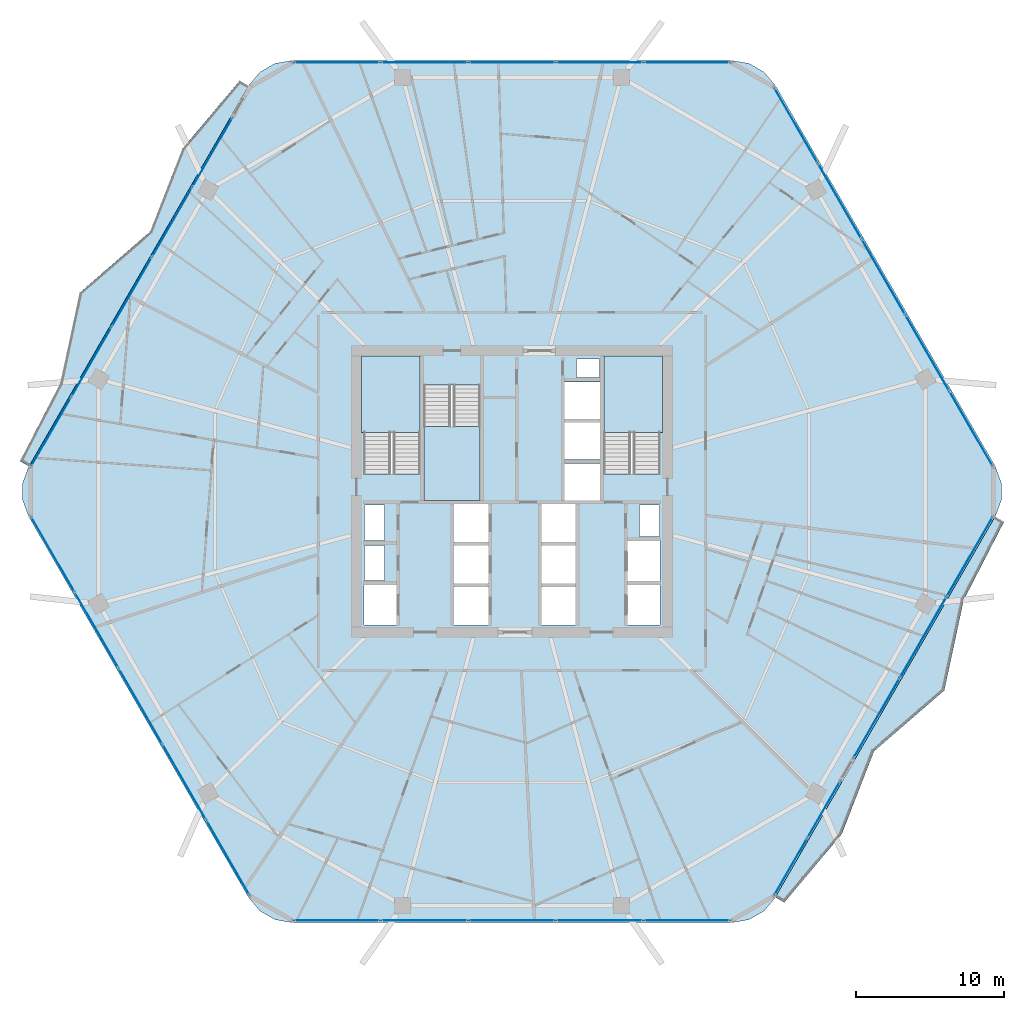
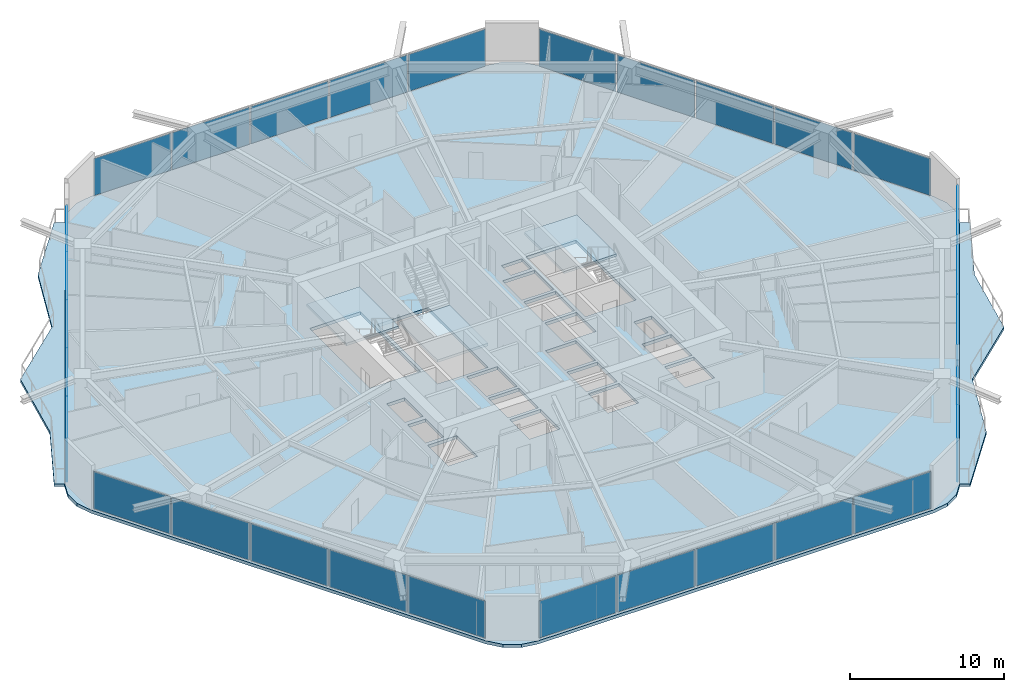
# One storey, part 22 of 32: 30 plates, 6 slabs, 10 elements without a shape of their own.
"""IFC4 building model written with IfcOpenShell, lengths in metres."""

from ifc_helpers import new_model, si_unit, direction, frame, origin, origin_2d, place, context, subcontext, project, spatial, polyline, rectangle, outline, extrude, material, layer, layer_set, type_object, element, aggregate, save


model = new_model("IFC4")

# Units and contexts
model_context = context("Model", 3, precision=1e-05, world=origin(), true_north=direction((0.0, 1.0)))
body_context = subcontext(model_context, "Body", "Model", "MODEL_VIEW")
ifc_project = project(units=[si_unit("LENGTHUNIT", "METRE"), si_unit("AREAUNIT", "SQUARE_METRE"), si_unit("VOLUMEUNIT", "CUBIC_METRE"), si_unit("PLANEANGLEUNIT", "RADIAN"), si_unit("MASSUNIT", "GRAM", prefix="KILO")], contexts=[model_context])

# Site, building, storey
site_placement = place(None, origin())
site = spatial("IfcSite", under=ifc_project, at=site_placement, CompositionType="ELEMENT")
building_placement = place(site_placement, origin())
building = spatial("IfcBuilding", under=site, at=building_placement, Name="Zuhravey Tower", CompositionType="ELEMENT")
storey_placement = place(building_placement, frame((0.0, 0.0, 119.0)))
storey = spatial("IfcBuildingStorey", under=building, at=storey_placement, Name="L29", CompositionType="ELEMENT", Elevation=119.0)

# Slabs
ifc_material_1 = material(Name="Concrete C50/60", Category="concrete")
ifc_layer_1 = layer(ifc_material_1, 0.25)
ifc_layer_set_1 = layer_set([ifc_layer_1], Name="Concrete C50/60")
slab_type_1 = type_object("IfcSlabType", Name="Residential Acoustic Slab 250", PredefinedType="FLOOR", material=ifc_layer_set_1)
slab_1_placement = place(storey_placement, frame((0.0, 0.0, -0.25)))
element("IfcSlab", 1, at=slab_1_placement, inside=storey, type_object=slab_type_1, Name="L29 Floor Slab FS25", PredefinedType="FLOOR", context=body_context, shape_type="SweptSolid", body=[
    extrude(outline(polyline([(68.618408203125, 30.300048828125), (69.0224609375, 31.40966796875), (69.0224609375, 32.59033203125), (68.618408203125, 33.699951171875), (53.781494140625, 59.3984375), (53.0224609375, 60.302978515625), (52.0, 60.893310546875), (50.8369140625, 61.098388671875), (21.1630859375, 61.098388671875), (20.0, 60.893310546875), (18.9775390625, 60.302978515625), (18.218505859375, 59.3984375), (3.381591796875, 33.699951171875), (2.9775390625, 32.59033203125), (2.9775390625, 31.40966796875), (3.381591796875, 30.300048828125), (18.218505859375, 4.6015625), (18.9775390625, 3.697021484375), (20.0, 3.106689453125), (21.1630859375, 2.901611328125), (50.8369140625, 2.901611328125), (52.0, 3.106689453125), (53.0224609375, 3.697021484375), (53.781494140625, 4.6015625), (68.618408203125, 30.300048828125)]), holes=[polyline([(29.800048828125, 33.20068359375), (29.800048828125, 41.0), (26.0, 41.0), (26.0, 33.20068359375), (29.800048828125, 33.20068359375)]), polyline([(46.0, 33.20068359375), (46.0, 41.0), (42.199951171875, 41.0), (42.199951171875, 33.20068359375), (46.0, 33.20068359375)]), polyline([(30.050048828125, 39.199462890625), (30.050048828125, 31.39990234375), (33.85009765625, 31.39990234375), (33.85009765625, 39.199462890625), (30.050048828125, 39.199462890625)]), polyline([(32.10009765625, 23.0), (34.39990234375, 23.0), (34.39990234375, 25.550048828125), (32.10009765625, 25.550048828125), (32.10009765625, 23.0)]), polyline([(32.10009765625, 25.800048828125), (34.39990234375, 25.800048828125), (34.39990234375, 28.35009765625), (32.10009765625, 28.35009765625), (32.10009765625, 25.800048828125)]), polyline([(32.10009765625, 28.60009765625), (34.39990234375, 28.60009765625), (34.39990234375, 31.14990234375), (32.10009765625, 31.14990234375), (32.10009765625, 28.60009765625)]), polyline([(38.0, 23.0), (40.300048828125, 23.0), (40.300048828125, 25.550048828125), (38.0, 25.550048828125), (38.0, 23.0)]), polyline([(38.0, 25.800048828125), (40.300048828125, 25.800048828125), (40.300048828125, 28.35009765625), (38.0, 28.35009765625), (38.0, 25.800048828125)]), polyline([(38.0, 28.60009765625), (40.300048828125, 28.60009765625), (40.300048828125, 31.14990234375), (38.0, 31.14990234375), (38.0, 28.60009765625)]), polyline([(39.550048828125, 31.39990234375), (41.949951171875, 31.39990234375), (41.949951171875, 33.89990234375), (39.550048828125, 33.89990234375), (39.550048828125, 31.39990234375)]), polyline([(39.550048828125, 34.14990234375), (41.949951171875, 34.14990234375), (41.949951171875, 36.64990234375), (39.550048828125, 36.64990234375), (39.550048828125, 34.14990234375)]), polyline([(39.550048828125, 36.89990234375), (41.949951171875, 36.89990234375), (41.949951171875, 39.39990234375), (39.550048828125, 39.39990234375), (39.550048828125, 36.89990234375)]), polyline([(26.0, 23.0), (28.199951171875, 23.0), (28.199951171875, 25.699951171875), (26.0, 25.699951171875), (26.0, 23.0)]), polyline([(43.800048828125, 23.0), (46.0, 23.0), (46.0, 25.699951171875), (43.800048828125, 25.699951171875), (43.800048828125, 23.0)]), polyline([(43.800048828125, 25.949951171875), (46.0, 25.949951171875), (46.0, 28.64990234375), (43.800048828125, 28.64990234375), (43.800048828125, 25.949951171875)]), polyline([(26.050048828125, 26.0), (27.39990234375, 26.0), (27.39990234375, 28.35009765625), (26.050048828125, 28.35009765625), (26.050048828125, 26.0)]), polyline([(26.050048828125, 28.699951171875), (27.39990234375, 28.699951171875), (27.39990234375, 31.10009765625), (26.050048828125, 31.10009765625), (26.050048828125, 28.699951171875)]), polyline([(44.60009765625, 28.949951171875), (45.949951171875, 28.949951171875), (45.949951171875, 31.10009765625), (44.60009765625, 31.10009765625), (44.60009765625, 28.949951171875)]), polyline([(40.35009765625, 39.699951171875), (41.89990234375, 39.699951171875), (41.89990234375, 40.949951171875), (40.35009765625, 40.949951171875), (40.35009765625, 39.699951171875)])]), origin(), (0.0, 0.0, 1.0), 0.25),
])
ifc_material_2 = material(Name="Concrete C40/50", Category="concrete")
ifc_layer_2 = layer(ifc_material_2, 0.219970703125)
ifc_layer_set_2 = layer_set([ifc_layer_2], Name="Concrete C40/50")
slab_type_2 = type_object("IfcSlabType", Name="Sinusoidal Residential Wave Balcony 220", PredefinedType="FLOOR", material=ifc_layer_set_2)
slab_2_placement = place(storey_placement, frame((0.0, 0.0, -0.219970703125)))
element("IfcSlab", 2, at=slab_2_placement, inside=storey, type_object=slab_type_2, Name="L29 Face 6 Wave Balcony WB22", PredefinedType="FLOOR", context=body_context, shape_type="SweptSolid", body=[
    extrude(outline(polyline([(53.772705078125, 4.616455078125), (68.601318359375, 30.300048828125), (69.20751953125, 29.949951171875), (66.484375, 24.673095703125), (65.177978515625, 18.57861328125), (60.43310546875, 14.468994140625), (58.255615234375, 8.877197265625), (54.37890625, 4.2666015625), (53.772705078125, 4.616455078125)])), origin(), (0.0, 0.0, 1.0), 0.219970703125),
])
slab_3_placement = place(storey_placement, frame((0.0, 0.0, -0.219970703125)))
element("IfcSlab", 3, at=slab_3_placement, inside=storey, type_object=slab_type_2, Name="L29 Face 3 Wave Balcony WB22", PredefinedType="FLOOR", context=body_context, shape_type="SweptSolid", body=[
    extrude(outline(polyline([(18.227294921875, 59.383544921875), (3.398681640625, 33.699951171875), (2.79248046875, 34.050048828125), (5.515625, 39.326904296875), (6.822021484375, 45.42138671875), (11.56689453125, 49.531005859375), (13.744384765625, 55.122802734375), (17.62109375, 59.7333984375), (18.227294921875, 59.383544921875)])), origin(), (0.0, 0.0, 1.0), 0.219970703125),
])

# Stair, slab
stair_type = type_object("IfcStairType", Name="Housing Storey Stair Assembly 3800", PredefinedType="HALF_TURN_STAIR", material=ifc_material_2)
stair_1_placement = place(storey_placement, origin())
stair_1 = element("IfcStair", 4, at=stair_1_placement, inside=storey, type_object=stair_type, Name="L29 Core Exit Stair ST1", PredefinedType="HALF_TURN_STAIR")
ifc_layer_3 = layer(ifc_material_2, 0.199951171875)
ifc_layer_set_3 = layer_set([ifc_layer_3], Name="Concrete C40/50")
slab_type_3 = type_object("IfcSlabType", Name="Stair Landing Slab 200", PredefinedType="LANDING", material=ifc_layer_set_3)
slab_4_placement = place(storey_placement, frame((0.0, 0.0, 1.699951171875)))
slab_4 = element("IfcSlab", 5, at=slab_4_placement, type_object=slab_type_3, Name="ST1 landing 1", PredefinedType="LANDING", context=body_context, shape_type="SweptSolid", body=[
    extrude(outline(polyline([(29.800048828125, 36.0), (29.800048828125, 41.14794921875), (25.85205078125, 41.14794921875), (25.85205078125, 36.0), (29.800048828125, 36.0)])), origin(), (0.0, 0.0, 1.0), 0.199951171875),
])
aggregate(stair_1, [slab_4])

stair_2_placement = place(storey_placement, origin())
stair_2 = element("IfcStair", 6, at=stair_2_placement, inside=storey, type_object=stair_type, Name="L29 Core Exit Stair ST2", PredefinedType="HALF_TURN_STAIR")
slab_5_placement = place(storey_placement, frame((0.0, 0.0, 1.699951171875)))
slab_5 = element("IfcSlab", 7, at=slab_5_placement, type_object=slab_type_3, Name="ST2 landing 1", PredefinedType="LANDING", context=body_context, shape_type="SweptSolid", body=[
    extrude(outline(polyline([(46.14794921875, 36.0), (46.14794921875, 41.14794921875), (42.199951171875, 41.14794921875), (42.199951171875, 36.0), (46.14794921875, 36.0)])), origin(), (0.0, 0.0, 1.0), 0.199951171875),
])
aggregate(stair_2, [slab_5])

stair_3_placement = place(storey_placement, origin())
stair_3 = element("IfcStair", 8, at=stair_3_placement, inside=storey, type_object=stair_type, Name="L29 Core Exit Stair ST3", PredefinedType="HALF_TURN_STAIR")
slab_6_placement = place(storey_placement, frame((0.0, 0.0, 1.699951171875)))
slab_6 = element("IfcSlab", 9, at=slab_6_placement, type_object=slab_type_3, Name="ST3 landing 1", PredefinedType="LANDING", context=body_context, shape_type="SweptSolid", body=[
    extrude(outline(polyline([(30.050048828125, 36.39990234375), (30.050048828125, 31.39990234375), (33.85009765625, 31.39990234375), (33.85009765625, 36.39990234375), (30.050048828125, 36.39990234375)])), origin(), (0.0, 0.0, 1.0), 0.199951171875),
])
aggregate(stair_3, [slab_6])

# Curtain wall, plates
ifc_material_3 = material(Name="Thermally broken anodised aluminium", Category="aluminium")
curtain_wall_type = type_object("IfcCurtainWallType", Name="Zone 1-2 Residential Curtain Wall CW3", PredefinedType="NOTDEFINED", material=ifc_material_3)
curtain_wall_1_placement = place(storey_placement, origin())
curtain_wall_1 = element("IfcCurtainWall", 10, at=curtain_wall_1_placement, inside=storey, type_object=curtain_wall_type, Name="L29 CW3 CW-L29-F6-1", PredefinedType="NOTDEFINED")
ifc_material_4 = material(Name="Triple low-E insulated vision glass", Category="glass")
ifc_layer_4 = layer(ifc_material_4, 0.0419921875)
ifc_layer_set_4 = layer_set([ifc_layer_4], Name="Triple low-E insulated vision glass")
plate_type = type_object("IfcPlateType", Name="Triple Low-E Vision Panel", PredefinedType="CURTAIN_PANEL", material=ifc_layer_set_4)
plate_1_placement = place(storey_placement, frame((66.8916015625, 27.588623046875, 0.090087890625), z_axis=(0.0, 0.0, 1.0), x_axis=(-0.499998799264, -0.866026097028, 0.0)))
plate_1 = element("IfcPlate", 11, at=plate_1_placement, type_object=plate_type, Name="CW3 panel 1.1", PredefinedType="CURTAIN_PANEL", context=body_context, shape_type="SweptSolid", body=[
    extrude(rectangle(XDim=6.16796875, YDim=0.0419921875, at=origin_2d()), origin(), (0.0, 0.0, 1.0), 2.94189453125),
])
plate_2_placement = place(storey_placement, frame((63.751220703125, 22.149658203125, 0.090087890625), z_axis=(0.0, 0.0, 1.0), x_axis=(-0.499998799264, -0.866026097028, 0.0)))
plate_2 = element("IfcPlate", 12, at=plate_2_placement, type_object=plate_type, Name="CW3 panel 2.1", PredefinedType="CURTAIN_PANEL", context=body_context, shape_type="SweptSolid", body=[
    extrude(rectangle(XDim=6.213134765625, YDim=0.0419921875, at=origin_2d()), origin(), (0.0, 0.0, 1.0), 2.94189453125),
])
plate_3_placement = place(storey_placement, frame((60.61083984375, 16.71044921875, 0.090087890625), z_axis=(0.0, 0.0, 1.0), x_axis=(-0.499998799264, -0.866026097028, 0.0)))
plate_3 = element("IfcPlate", 13, at=plate_3_placement, type_object=plate_type, Name="CW3 panel 3.1", PredefinedType="CURTAIN_PANEL", context=body_context, shape_type="SweptSolid", body=[
    extrude(rectangle(XDim=6.16796875, YDim=0.0419921875, at=origin_2d()), origin(), (0.0, 0.0, 1.0), 2.94189453125),
])
aggregate(curtain_wall_1, [plate_1, plate_2, plate_3])

curtain_wall_2_placement = place(storey_placement, origin())
curtain_wall_2 = element("IfcCurtainWall", 14, at=curtain_wall_2_placement, inside=storey, type_object=curtain_wall_type, Name="L29 CW3 CW-L29-F6-2", PredefinedType="NOTDEFINED")
plate_4_placement = place(storey_placement, frame((57.038818359375, 10.5234375, 0.090087890625), z_axis=(0.0, 0.0, 1.0), x_axis=(-0.500004584341, -0.866022756998, 0.0)))
plate_4 = element("IfcPlate", 15, at=plate_4_placement, type_object=plate_type, Name="CW3 panel 1.1", PredefinedType="CURTAIN_PANEL", context=body_context, shape_type="SweptSolid", body=[
    extrude(rectangle(XDim=4.35986328125, YDim=0.0419921875, at=origin_2d()), origin(), (0.0, 0.0, 1.0), 2.94189453125),
])
plate_5_placement = place(storey_placement, frame((54.81396484375, 6.669921875, 0.090087890625), z_axis=(0.0, 0.0, 1.0), x_axis=(-0.500004584341, -0.866022756998, 0.0)))
plate_5 = element("IfcPlate", 16, at=plate_5_placement, type_object=plate_type, Name="CW3 panel 2.1", PredefinedType="CURTAIN_PANEL", context=body_context, shape_type="SweptSolid", body=[
    extrude(rectangle(XDim=4.35986328125, YDim=0.0419921875, at=origin_2d()), origin(), (0.0, 0.0, 1.0), 2.94189453125),
])
aggregate(curtain_wall_2, [plate_4, plate_5])

curtain_wall_3_placement = place(storey_placement, origin())
curtain_wall_3 = element("IfcCurtainWall", 17, at=curtain_wall_3_placement, inside=storey, type_object=curtain_wall_type, Name="L29 CW3 CW-L29-F5-1", PredefinedType="NOTDEFINED")
plate_6_placement = place(storey_placement, frame((47.817138671875, 3.04150390625, 0.090087890625), z_axis=(0.0, 0.0, 1.0), x_axis=(-1.0, 0.0, 0.0)))
plate_6 = element("IfcPlate", 18, at=plate_6_placement, type_object=plate_type, Name="CW3 panel 1.1", PredefinedType="CURTAIN_PANEL", context=body_context, shape_type="SweptSolid", body=[
    extrude(rectangle(XDim=5.784912109375, YDim=0.0419921875, at=origin_2d()), origin(), (0.0, 0.0, 1.0), 2.94189453125),
])
plate_7_placement = place(storey_placement, frame((41.919921875, 3.04150390625, 0.090087890625), z_axis=(0.0, 0.0, 1.0), x_axis=(-1.0, 0.0, 0.0)))
plate_7 = element("IfcPlate", 19, at=plate_7_placement, type_object=plate_type, Name="CW3 panel 2.1", PredefinedType="CURTAIN_PANEL", context=body_context, shape_type="SweptSolid", body=[
    extrude(rectangle(XDim=5.829833984375, YDim=0.0419921875, at=origin_2d()), origin(), (0.0, 0.0, 1.0), 2.94189453125),
])
plate_8_placement = place(storey_placement, frame((36.0, 3.04150390625, 0.090087890625), z_axis=(0.0, 0.0, 1.0), x_axis=(-1.0, 0.0, 0.0)))
plate_8 = element("IfcPlate", 20, at=plate_8_placement, type_object=plate_type, Name="CW3 panel 3.1", PredefinedType="CURTAIN_PANEL", context=body_context, shape_type="SweptSolid", body=[
    extrude(rectangle(XDim=5.829833984375, YDim=0.0419921875, at=origin_2d()), origin(), (0.0, 0.0, 1.0), 2.94189453125),
])
plate_9_placement = place(storey_placement, frame((30.080078125, 3.04150390625, 0.090087890625), z_axis=(0.0, 0.0, 1.0), x_axis=(-1.0, 0.0, 0.0)))
plate_9 = element("IfcPlate", 21, at=plate_9_placement, type_object=plate_type, Name="CW3 panel 4.1", PredefinedType="CURTAIN_PANEL", context=body_context, shape_type="SweptSolid", body=[
    extrude(rectangle(XDim=5.829833984375, YDim=0.0419921875, at=origin_2d()), origin(), (0.0, 0.0, 1.0), 2.94189453125),
])
plate_10_placement = place(storey_placement, frame((24.182861328125, 3.04150390625, 0.090087890625), z_axis=(0.0, 0.0, 1.0), x_axis=(-1.0, 0.0, 0.0)))
plate_10 = element("IfcPlate", 22, at=plate_10_placement, type_object=plate_type, Name="CW3 panel 5.1", PredefinedType="CURTAIN_PANEL", context=body_context, shape_type="SweptSolid", body=[
    extrude(rectangle(XDim=5.784912109375, YDim=0.0419921875, at=origin_2d()), origin(), (0.0, 0.0, 1.0), 2.94189453125),
])
aggregate(curtain_wall_3, [plate_6, plate_7, plate_8, plate_9, plate_10])

curtain_wall_4_placement = place(storey_placement, origin())
curtain_wall_4 = element("IfcCurtainWall", 23, at=curtain_wall_4_placement, inside=storey, type_object=curtain_wall_type, Name="L29 CW3 CW-L29-F4-1", PredefinedType="NOTDEFINED")
plate_11_placement = place(storey_placement, frame((16.829833984375, 7.286865234375, 0.090087890625), z_axis=(0.0, 0.0, 1.0), x_axis=(-0.499999794119, 0.86602552265, 0.0)))
plate_11 = element("IfcPlate", 24, at=plate_11_placement, type_object=plate_type, Name="CW3 panel 1.1", PredefinedType="CURTAIN_PANEL", context=body_context, shape_type="SweptSolid", body=[
    extrude(rectangle(XDim=5.784912109375, YDim=0.0419921875, at=origin_2d()), origin(), (0.0, 0.0, 1.0), 2.94189453125),
])
plate_12_placement = place(storey_placement, frame((13.881103515625, 12.39404296875, 0.090087890625), z_axis=(0.0, 0.0, 1.0), x_axis=(-0.499999794119, 0.86602552265, 0.0)))
plate_12 = element("IfcPlate", 25, at=plate_12_placement, type_object=plate_type, Name="CW3 panel 2.1", PredefinedType="CURTAIN_PANEL", context=body_context, shape_type="SweptSolid", body=[
    extrude(rectangle(XDim=5.829833984375, YDim=0.0419921875, at=origin_2d()), origin(), (0.0, 0.0, 1.0), 2.94189453125),
])
plate_13_placement = place(storey_placement, frame((10.921142578125, 17.520751953125, 0.090087890625), z_axis=(0.0, 0.0, 1.0), x_axis=(-0.499999794119, 0.86602552265, 0.0)))
plate_13 = element("IfcPlate", 26, at=plate_13_placement, type_object=plate_type, Name="CW3 panel 3.1", PredefinedType="CURTAIN_PANEL", context=body_context, shape_type="SweptSolid", body=[
    extrude(rectangle(XDim=5.829833984375, YDim=0.0419921875, at=origin_2d()), origin(), (0.0, 0.0, 1.0), 2.94189453125),
])
plate_14_placement = place(storey_placement, frame((7.96142578125, 22.6474609375, 0.090087890625), z_axis=(0.0, 0.0, 1.0), x_axis=(-0.499999794119, 0.86602552265, 0.0)))
plate_14 = element("IfcPlate", 27, at=plate_14_placement, type_object=plate_type, Name="CW3 panel 4.1", PredefinedType="CURTAIN_PANEL", context=body_context, shape_type="SweptSolid", body=[
    extrude(rectangle(XDim=5.829833984375, YDim=0.0419921875, at=origin_2d()), origin(), (0.0, 0.0, 1.0), 2.94189453125),
])
plate_15_placement = place(storey_placement, frame((5.0126953125, 27.754638671875, 0.090087890625), z_axis=(0.0, 0.0, 1.0), x_axis=(-0.499999794119, 0.86602552265, 0.0)))
plate_15 = element("IfcPlate", 28, at=plate_15_placement, type_object=plate_type, Name="CW3 panel 5.1", PredefinedType="CURTAIN_PANEL", context=body_context, shape_type="SweptSolid", body=[
    extrude(rectangle(XDim=5.784912109375, YDim=0.0419921875, at=origin_2d()), origin(), (0.0, 0.0, 1.0), 2.94189453125),
])
aggregate(curtain_wall_4, [plate_11, plate_12, plate_13, plate_14, plate_15])

curtain_wall_5_placement = place(storey_placement, origin())
curtain_wall_5 = element("IfcCurtainWall", 29, at=curtain_wall_5_placement, inside=storey, type_object=curtain_wall_type, Name="L29 CW3 CW-L29-F3-1", PredefinedType="NOTDEFINED")
plate_16_placement = place(storey_placement, frame((4.895263671875, 36.041748046875, 0.090087890625), z_axis=(0.0, 0.0, 1.0), x_axis=(0.500000416781, 0.866025163156, 0.0)))
plate_16 = element("IfcPlate", 30, at=plate_16_placement, type_object=plate_type, Name="CW3 panel 1.1", PredefinedType="CURTAIN_PANEL", context=body_context, shape_type="SweptSolid", body=[
    extrude(rectangle(XDim=5.314697265625, YDim=0.0419921875, at=origin_2d()), origin(), (0.0, 0.0, 1.0), 2.94189453125),
])
plate_17_placement = place(storey_placement, frame((7.60888671875, 40.741943359375, 0.090087890625), z_axis=(0.0, 0.0, 1.0), x_axis=(0.500000416781, 0.866025163156, 0.0)))
plate_17 = element("IfcPlate", 31, at=plate_17_placement, type_object=plate_type, Name="CW3 panel 2.1", PredefinedType="CURTAIN_PANEL", context=body_context, shape_type="SweptSolid", body=[
    extrude(rectangle(XDim=5.35986328125, YDim=0.0419921875, at=origin_2d()), origin(), (0.0, 0.0, 1.0), 2.94189453125),
])
plate_18_placement = place(storey_placement, frame((10.333740234375, 45.461669921875, 0.090087890625), z_axis=(0.0, 0.0, 1.0), x_axis=(0.500000416781, 0.866025163156, 0.0)))
plate_18 = element("IfcPlate", 32, at=plate_18_placement, type_object=plate_type, Name="CW3 panel 3.1", PredefinedType="CURTAIN_PANEL", context=body_context, shape_type="SweptSolid", body=[
    extrude(rectangle(XDim=5.35986328125, YDim=0.0419921875, at=origin_2d()), origin(), (0.0, 0.0, 1.0), 2.94189453125),
])
plate_19_placement = place(storey_placement, frame((13.05859375, 50.181396484375, 0.090087890625), z_axis=(0.0, 0.0, 1.0), x_axis=(0.500000416781, 0.866025163156, 0.0)))
plate_19 = element("IfcPlate", 33, at=plate_19_placement, type_object=plate_type, Name="CW3 panel 4.1", PredefinedType="CURTAIN_PANEL", context=body_context, shape_type="SweptSolid", body=[
    extrude(rectangle(XDim=5.35986328125, YDim=0.0419921875, at=origin_2d()), origin(), (0.0, 0.0, 1.0), 2.94189453125),
])
plate_20_placement = place(storey_placement, frame((15.772216796875, 54.881591796875, 0.090087890625), z_axis=(0.0, 0.0, 1.0), x_axis=(0.500000416781, 0.866025163156, 0.0)))
plate_20 = element("IfcPlate", 34, at=plate_20_placement, type_object=plate_type, Name="CW3 panel 5.1", PredefinedType="CURTAIN_PANEL", context=body_context, shape_type="SweptSolid", body=[
    extrude(rectangle(XDim=5.314697265625, YDim=0.0419921875, at=origin_2d()), origin(), (0.0, 0.0, 1.0), 2.94189453125),
])
aggregate(curtain_wall_5, [plate_16, plate_17, plate_18, plate_19, plate_20])

curtain_wall_6_placement = place(storey_placement, origin())
curtain_wall_6 = element("IfcCurtainWall", 35, at=curtain_wall_6_placement, inside=storey, type_object=curtain_wall_type, Name="L29 CW3 CW-L29-F2-1", PredefinedType="NOTDEFINED")
plate_21_placement = place(storey_placement, frame((24.182861328125, 60.95849609375, 0.090087890625), z_axis=(0.0, 0.0, 1.0), x_axis=(1.0, 0.0, 0.0)))
plate_21 = element("IfcPlate", 36, at=plate_21_placement, type_object=plate_type, Name="CW3 panel 1.1", PredefinedType="CURTAIN_PANEL", context=body_context, shape_type="SweptSolid", body=[
    extrude(rectangle(XDim=5.784912109375, YDim=0.0419921875, at=origin_2d()), origin(), (0.0, 0.0, 1.0), 2.94189453125),
])
plate_22_placement = place(storey_placement, frame((30.080078125, 60.95849609375, 0.090087890625), z_axis=(0.0, 0.0, 1.0), x_axis=(1.0, 0.0, 0.0)))
plate_22 = element("IfcPlate", 37, at=plate_22_placement, type_object=plate_type, Name="CW3 panel 2.1", PredefinedType="CURTAIN_PANEL", context=body_context, shape_type="SweptSolid", body=[
    extrude(rectangle(XDim=5.829833984375, YDim=0.0419921875, at=origin_2d()), origin(), (0.0, 0.0, 1.0), 2.94189453125),
])
plate_23_placement = place(storey_placement, frame((36.0, 60.95849609375, 0.090087890625), z_axis=(0.0, 0.0, 1.0), x_axis=(1.0, 0.0, 0.0)))
plate_23 = element("IfcPlate", 38, at=plate_23_placement, type_object=plate_type, Name="CW3 panel 3.1", PredefinedType="CURTAIN_PANEL", context=body_context, shape_type="SweptSolid", body=[
    extrude(rectangle(XDim=5.829833984375, YDim=0.0419921875, at=origin_2d()), origin(), (0.0, 0.0, 1.0), 2.94189453125),
])
plate_24_placement = place(storey_placement, frame((41.919921875, 60.95849609375, 0.090087890625), z_axis=(0.0, 0.0, 1.0), x_axis=(1.0, 0.0, 0.0)))
plate_24 = element("IfcPlate", 39, at=plate_24_placement, type_object=plate_type, Name="CW3 panel 4.1", PredefinedType="CURTAIN_PANEL", context=body_context, shape_type="SweptSolid", body=[
    extrude(rectangle(XDim=5.829833984375, YDim=0.0419921875, at=origin_2d()), origin(), (0.0, 0.0, 1.0), 2.94189453125),
])
plate_25_placement = place(storey_placement, frame((47.817138671875, 60.95849609375, 0.090087890625), z_axis=(0.0, 0.0, 1.0), x_axis=(1.0, 0.0, 0.0)))
plate_25 = element("IfcPlate", 40, at=plate_25_placement, type_object=plate_type, Name="CW3 panel 5.1", PredefinedType="CURTAIN_PANEL", context=body_context, shape_type="SweptSolid", body=[
    extrude(rectangle(XDim=5.784912109375, YDim=0.0419921875, at=origin_2d()), origin(), (0.0, 0.0, 1.0), 2.94189453125),
])
aggregate(curtain_wall_6, [plate_21, plate_22, plate_23, plate_24, plate_25])

curtain_wall_7_placement = place(storey_placement, origin())
curtain_wall_7 = element("IfcCurtainWall", 41, at=curtain_wall_7_placement, inside=storey, type_object=curtain_wall_type, Name="L29 CW3 CW-L29-F1-1", PredefinedType="NOTDEFINED")
plate_26_placement = place(storey_placement, frame((55.170166015625, 56.713134765625, 0.090087890625), z_axis=(0.0, 0.0, 1.0), x_axis=(0.499999794119, -0.86602552265, 0.0)))
plate_26 = element("IfcPlate", 42, at=plate_26_placement, type_object=plate_type, Name="CW3 panel 1.1", PredefinedType="CURTAIN_PANEL", context=body_context, shape_type="SweptSolid", body=[
    extrude(rectangle(XDim=5.784912109375, YDim=0.0419921875, at=origin_2d()), origin(), (0.0, 0.0, 1.0), 2.94189453125),
])
plate_27_placement = place(storey_placement, frame((58.118896484375, 51.60595703125, 0.090087890625), z_axis=(0.0, 0.0, 1.0), x_axis=(0.499999794119, -0.86602552265, 0.0)))
plate_27 = element("IfcPlate", 43, at=plate_27_placement, type_object=plate_type, Name="CW3 panel 2.1", PredefinedType="CURTAIN_PANEL", context=body_context, shape_type="SweptSolid", body=[
    extrude(rectangle(XDim=5.829833984375, YDim=0.0419921875, at=origin_2d()), origin(), (0.0, 0.0, 1.0), 2.94189453125),
])
plate_28_placement = place(storey_placement, frame((61.078857421875, 46.479248046875, 0.090087890625), z_axis=(0.0, 0.0, 1.0), x_axis=(0.499999794119, -0.86602552265, 0.0)))
plate_28 = element("IfcPlate", 44, at=plate_28_placement, type_object=plate_type, Name="CW3 panel 3.1", PredefinedType="CURTAIN_PANEL", context=body_context, shape_type="SweptSolid", body=[
    extrude(rectangle(XDim=5.829833984375, YDim=0.0419921875, at=origin_2d()), origin(), (0.0, 0.0, 1.0), 2.94189453125),
])
plate_29_placement = place(storey_placement, frame((64.03857421875, 41.3525390625, 0.090087890625), z_axis=(0.0, 0.0, 1.0), x_axis=(0.499999794119, -0.86602552265, 0.0)))
plate_29 = element("IfcPlate", 45, at=plate_29_placement, type_object=plate_type, Name="CW3 panel 4.1", PredefinedType="CURTAIN_PANEL", context=body_context, shape_type="SweptSolid", body=[
    extrude(rectangle(XDim=5.829833984375, YDim=0.0419921875, at=origin_2d()), origin(), (0.0, 0.0, 1.0), 2.94189453125),
])
plate_30_placement = place(storey_placement, frame((66.9873046875, 36.245361328125, 0.090087890625), z_axis=(0.0, 0.0, 1.0), x_axis=(0.499999794119, -0.86602552265, 0.0)))
plate_30 = element("IfcPlate", 46, at=plate_30_placement, type_object=plate_type, Name="CW3 panel 5.1", PredefinedType="CURTAIN_PANEL", context=body_context, shape_type="SweptSolid", body=[
    extrude(rectangle(XDim=5.784912109375, YDim=0.0419921875, at=origin_2d()), origin(), (0.0, 0.0, 1.0), 2.94189453125),
])
aggregate(curtain_wall_7, [plate_26, plate_27, plate_28, plate_29, plate_30])

save(model, "model.ifc")
